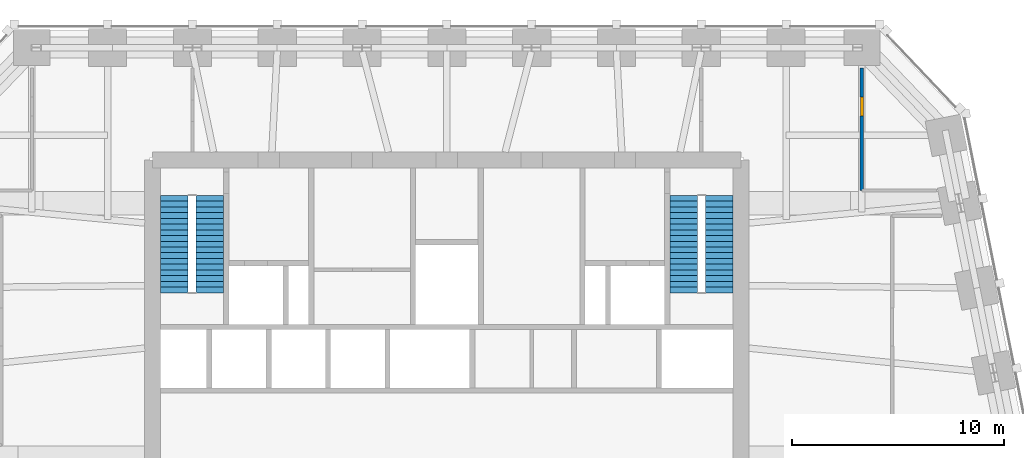
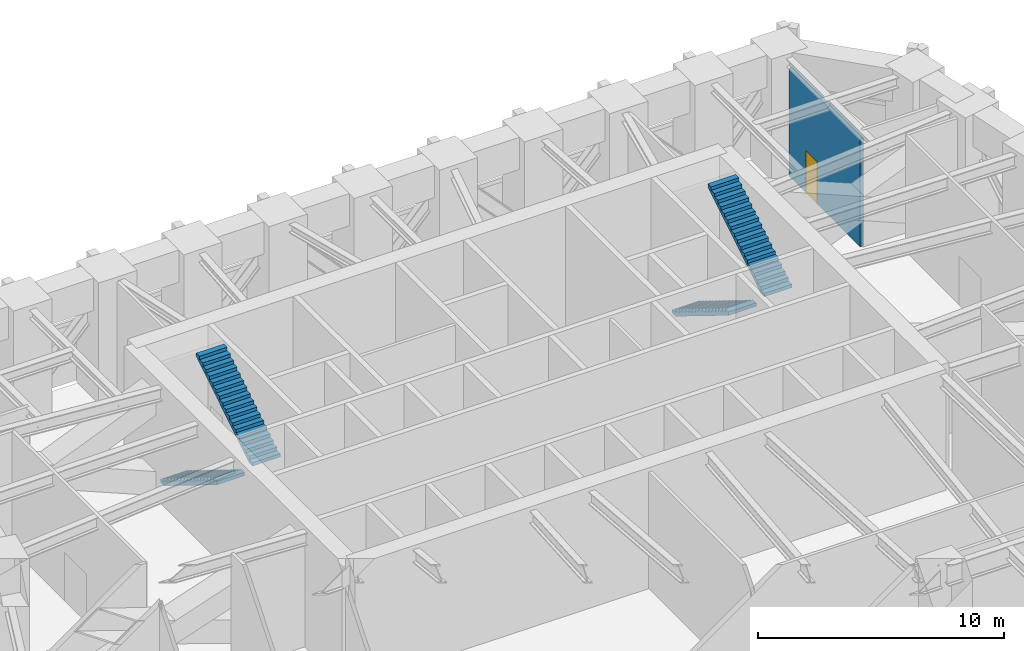
# One storey, part 8 of 9: 4 stair flights, 1 door, 1 wall, 1 opening, 2 elements without a shape of their own.
"""IFC4 building model written with IfcOpenShell, lengths in metres."""

from ifc_helpers import new_model, si_unit, direction, frame, frame_2d, origin, place, context, subcontext, project, spatial, polyline, rectangle, outline, extrude, material, layer, layer_set, type_object, element, fill, aggregate, save


model = new_model("IFC4")

# Units and contexts
model_context = context("Model", 3, precision=1e-05, world=origin(), true_north=direction((0.0, 1.0)))
body_context = subcontext(model_context, "Body", "Model", "MODEL_VIEW")
ifc_project = project(units=[si_unit("LENGTHUNIT", "METRE"), si_unit("AREAUNIT", "SQUARE_METRE"), si_unit("VOLUMEUNIT", "CUBIC_METRE"), si_unit("PLANEANGLEUNIT", "RADIAN"), si_unit("MASSUNIT", "GRAM", prefix="KILO")], contexts=[model_context])

# Site, building, storey
site_placement = place(None, origin())
site = spatial("IfcSite", under=ifc_project, at=site_placement, CompositionType="ELEMENT")
building_placement = place(site_placement, origin())
building = spatial("IfcBuilding", under=site, at=building_placement, Name="Isbrekke Arena Tower", CompositionType="ELEMENT")
storey_placement = place(building_placement, frame((0.0, 0.0, 167.0)))
storey = spatial("IfcBuildingStorey", under=building, at=storey_placement, Name="L38", CompositionType="ELEMENT", Elevation=167.0)

# Wall, opening, door
ifc_material_1 = material(Name="Gypsum board fire-rated partition on steel studs, two layers each side", Category="steel")
ifc_layer = layer(ifc_material_1, 0.14990234375)
ifc_layer_set = layer_set([ifc_layer], Name="IW5 FIRE-RATED PARTITION 150")
wall_type = type_object("IfcWallType", Name="IW5 FIRE-RATED PARTITION 150", PredefinedType="PARTITIONING", material=ifc_layer_set)
wall_placement = place(storey_placement, frame((19.570068359375, 22.43994140625, 0.0), z_axis=(0.0, 0.0, 1.0), x_axis=(0.0, 1.0, 0.0)))
wall = element("IfcWall", 1, at=wall_placement, inside=storey, type_object=wall_type, Name="IW5 fire-rated partition L38 plant WEK", PredefinedType="PARTITIONING", context=body_context, shape_type="SweptSolid", body=[
    extrude(rectangle(XDim=5.780029296875, YDim=0.14990234375, at=frame_2d((2.89013671875, 0.0))), origin(), (0.0, 0.0, 1.0), 5.367919921875),
])
opening_placement = place(wall_placement, frame((3.510009765625, 0.0, 0.0)))
opening = element("IfcOpeningElement", 2, at=opening_placement, cuts=wall, Name="Opening D5", PredefinedType="OPENING", context=body_context, shape_type="SweptSolid", body=[
    extrude(rectangle(XDim=0.89990234375, YDim=2.10009765625, at=frame_2d((0.449951171875, 1.050048828125))), frame((0.0, 0.08984375, 0.0), z_axis=(0.0, -1.0, 0.0), x_axis=(1.0, 0.0, 0.0)), (0.0, 0.0, 1.0), 0.1796875),
])
ifc_material_2 = material(Name="Steel fire door", Category="steel")
door_type = type_object("IfcDoorType", Name="D5 SERVICE DOOR 900 x 2100", OperationType="SINGLE_SWING_LEFT", PredefinedType="DOOR", material=ifc_material_2)
door_placement = place(opening_placement, origin())
door = element("IfcDoor", 3, at=door_placement, inside=storey, type_object=door_type, Name="D5 stair pressurisation plant room door L38", OperationType="SINGLE_SWING_LEFT", OverallHeight=2.10009765625, OverallWidth=0.89990234375, PredefinedType="DOOR", context=body_context, shape_type="SweptSolid", body=[
    extrude(rectangle(XDim=0.89990234375, YDim=2.10009765625, at=frame_2d((0.449951171875, 1.050048828125))), frame((0.0, 0.07470703125, 0.0), z_axis=(0.0, -1.0, 0.0), x_axis=(1.0, 0.0, 0.0)), (0.0, 0.0, 1.0), 0.1494140625),
])
fill(opening, door)

# Stair, stair flights
ifc_material_3 = material(Name="Concrete B45 (C45/55) precast", Category="concrete")
stair_type = type_object("IfcStairType", Name="ST60 STAIR 1300 WIDE, 36 RISERS 167", PredefinedType="HALF_TURN_STAIR", material=ifc_material_3)
stair_1_placement = place(storey_placement, origin())
stair_1 = element("IfcStair", 4, at=stair_1_placement, inside=storey, type_object=stair_type, Name="ST1 stair L38", PredefinedType="HALF_TURN_STAIR")
ifc_material_4 = material(Name="Concrete B45 (C45/55) precast", Category="concrete")
stair_flight_type = type_object("IfcStairFlightType", Name="SF 1300 FLIGHT", PredefinedType="STRAIGHT", material=ifc_material_4)
stair_flight_1_placement = place(storey_placement, frame((-12.85009765625, 22.199951171875, 0.0), z_axis=(0.0, 0.0, 1.0), x_axis=(0.0, -1.0, 0.0)))
stair_flight_1 = element("IfcStairFlight", 5, at=stair_flight_1_placement, type_object=stair_flight_type, Name="ST1 flight 1", NumberOfRisers=18, NumberOfTreads=17, PredefinedType="STRAIGHT", RiserHeight=0.166666667, TreadLength=0.27, context=body_context, shape_type="SweptSolid", body=[
    extrude(outline(polyline([(0.0, 0.0), (0.0, 0.166748046875), (0.27001953125, 0.166748046875), (0.27001953125, 0.333251953125), (0.5400390625, 0.333251953125), (0.5400390625, 0.5), (0.81005859375, 0.5), (0.81005859375, 0.666748046875), (1.080078125, 0.666748046875), (1.080078125, 0.833251953125), (1.35009765625, 0.833251953125), (1.35009765625, 1.0), (1.6201171875, 1.0), (1.6201171875, 1.166748046875), (1.889892578125, 1.166748046875), (1.889892578125, 1.333251953125), (2.159912109375, 1.333251953125), (2.159912109375, 1.5), (2.429931640625, 1.5), (2.429931640625, 1.666748046875), (2.699951171875, 1.666748046875), (2.699951171875, 1.833251953125), (2.969970703125, 1.833251953125), (2.969970703125, 2.0), (3.239990234375, 2.0), (3.239990234375, 2.166748046875), (3.510009765625, 2.166748046875), (3.510009765625, 2.333251953125), (3.780029296875, 2.333251953125), (3.780029296875, 2.5), (4.050048828125, 2.5), (4.050048828125, 2.666748046875), (4.320068359375, 2.666748046875), (4.320068359375, 2.833251953125), (4.590087890625, 2.833251953125), (4.590087890625, 3.0), (4.590087890625, 2.6572265625), (0.285400390625, 0.0), (0.0, 0.0)])), frame((0.0, 0.64990234375, 0.0), z_axis=(0.0, -1.0, 0.0), x_axis=(1.0, 0.0, 0.0)), (0.0, 0.0, 1.0), 1.300048828125),
])
stair_flight_2_placement = place(storey_placement, frame((-11.175048828125, 17.610107421875, 3.0), z_axis=(0.0, 0.0, 1.0), x_axis=(0.0, 1.0, 0.0)))
stair_flight_2 = element("IfcStairFlight", 6, at=stair_flight_2_placement, type_object=stair_flight_type, Name="ST1 flight 2", NumberOfRisers=18, NumberOfTreads=17, PredefinedType="STRAIGHT", RiserHeight=0.166666667, TreadLength=0.27, context=body_context, shape_type="SweptSolid", body=[
    extrude(outline(polyline([(0.0, 0.0), (0.0, 0.166748046875), (0.27001953125, 0.166748046875), (0.27001953125, 0.333251953125), (0.5400390625, 0.333251953125), (0.5400390625, 0.5), (0.81005859375, 0.5), (0.81005859375, 0.666748046875), (1.080078125, 0.666748046875), (1.080078125, 0.833251953125), (1.35009765625, 0.833251953125), (1.35009765625, 1.0), (1.6201171875, 1.0), (1.6201171875, 1.166748046875), (1.889892578125, 1.166748046875), (1.889892578125, 1.333251953125), (2.159912109375, 1.333251953125), (2.159912109375, 1.5), (2.429931640625, 1.5), (2.429931640625, 1.666748046875), (2.699951171875, 1.666748046875), (2.699951171875, 1.833251953125), (2.969970703125, 1.833251953125), (2.969970703125, 2.0), (3.239990234375, 2.0), (3.239990234375, 2.166748046875), (3.510009765625, 2.166748046875), (3.510009765625, 2.333251953125), (3.780029296875, 2.333251953125), (3.780029296875, 2.5), (4.050048828125, 2.5), (4.050048828125, 2.666748046875), (4.320068359375, 2.666748046875), (4.320068359375, 2.833251953125), (4.590087890625, 2.833251953125), (4.590087890625, 3.0), (4.590087890625, 2.6572265625), (0.285400390625, 0.0), (0.0, 0.0)])), frame((0.0, 0.64990234375, 0.0), z_axis=(0.0, -1.0, 0.0), x_axis=(1.0, 0.0, 0.0)), (0.0, 0.0, 1.0), 1.300048828125),
])
aggregate(stair_1, [stair_flight_1, stair_flight_2])

stair_2_placement = place(storey_placement, origin())
stair_2 = element("IfcStair", 7, at=stair_2_placement, inside=storey, type_object=stair_type, Name="ST2 stair L38", PredefinedType="HALF_TURN_STAIR")
stair_flight_3_placement = place(storey_placement, frame((11.175048828125, 22.199951171875, 0.0), z_axis=(0.0, 0.0, 1.0), x_axis=(0.0, -1.0, 0.0)))
stair_flight_3 = element("IfcStairFlight", 8, at=stair_flight_3_placement, type_object=stair_flight_type, Name="ST2 flight 1", NumberOfRisers=18, NumberOfTreads=17, PredefinedType="STRAIGHT", RiserHeight=0.166666667, TreadLength=0.27, context=body_context, shape_type="SweptSolid", body=[
    extrude(outline(polyline([(0.0, 0.0), (0.0, 0.166748046875), (0.27001953125, 0.166748046875), (0.27001953125, 0.333251953125), (0.5400390625, 0.333251953125), (0.5400390625, 0.5), (0.81005859375, 0.5), (0.81005859375, 0.666748046875), (1.080078125, 0.666748046875), (1.080078125, 0.833251953125), (1.35009765625, 0.833251953125), (1.35009765625, 1.0), (1.6201171875, 1.0), (1.6201171875, 1.166748046875), (1.889892578125, 1.166748046875), (1.889892578125, 1.333251953125), (2.159912109375, 1.333251953125), (2.159912109375, 1.5), (2.429931640625, 1.5), (2.429931640625, 1.666748046875), (2.699951171875, 1.666748046875), (2.699951171875, 1.833251953125), (2.969970703125, 1.833251953125), (2.969970703125, 2.0), (3.239990234375, 2.0), (3.239990234375, 2.166748046875), (3.510009765625, 2.166748046875), (3.510009765625, 2.333251953125), (3.780029296875, 2.333251953125), (3.780029296875, 2.5), (4.050048828125, 2.5), (4.050048828125, 2.666748046875), (4.320068359375, 2.666748046875), (4.320068359375, 2.833251953125), (4.590087890625, 2.833251953125), (4.590087890625, 3.0), (4.590087890625, 2.6572265625), (0.285400390625, 0.0), (0.0, 0.0)])), frame((0.0, 0.64990234375, 0.0), z_axis=(0.0, -1.0, 0.0), x_axis=(1.0, 0.0, 0.0)), (0.0, 0.0, 1.0), 1.300048828125),
])
stair_flight_4_placement = place(storey_placement, frame((12.85009765625, 17.610107421875, 3.0), z_axis=(0.0, 0.0, 1.0), x_axis=(0.0, 1.0, 0.0)))
stair_flight_4 = element("IfcStairFlight", 9, at=stair_flight_4_placement, type_object=stair_flight_type, Name="ST2 flight 2", NumberOfRisers=18, NumberOfTreads=17, PredefinedType="STRAIGHT", RiserHeight=0.166666667, TreadLength=0.27, context=body_context, shape_type="SweptSolid", body=[
    extrude(outline(polyline([(0.0, 0.0), (0.0, 0.166748046875), (0.27001953125, 0.166748046875), (0.27001953125, 0.333251953125), (0.5400390625, 0.333251953125), (0.5400390625, 0.5), (0.81005859375, 0.5), (0.81005859375, 0.666748046875), (1.080078125, 0.666748046875), (1.080078125, 0.833251953125), (1.35009765625, 0.833251953125), (1.35009765625, 1.0), (1.6201171875, 1.0), (1.6201171875, 1.166748046875), (1.889892578125, 1.166748046875), (1.889892578125, 1.333251953125), (2.159912109375, 1.333251953125), (2.159912109375, 1.5), (2.429931640625, 1.5), (2.429931640625, 1.666748046875), (2.699951171875, 1.666748046875), (2.699951171875, 1.833251953125), (2.969970703125, 1.833251953125), (2.969970703125, 2.0), (3.239990234375, 2.0), (3.239990234375, 2.166748046875), (3.510009765625, 2.166748046875), (3.510009765625, 2.333251953125), (3.780029296875, 2.333251953125), (3.780029296875, 2.5), (4.050048828125, 2.5), (4.050048828125, 2.666748046875), (4.320068359375, 2.666748046875), (4.320068359375, 2.833251953125), (4.590087890625, 2.833251953125), (4.590087890625, 3.0), (4.590087890625, 2.6572265625), (0.285400390625, 0.0), (0.0, 0.0)])), frame((0.0, 0.64990234375, 0.0), z_axis=(0.0, -1.0, 0.0), x_axis=(1.0, 0.0, 0.0)), (0.0, 0.0, 1.0), 1.300048828125),
])
aggregate(stair_2, [stair_flight_3, stair_flight_4])

save(model, "model.ifc")
